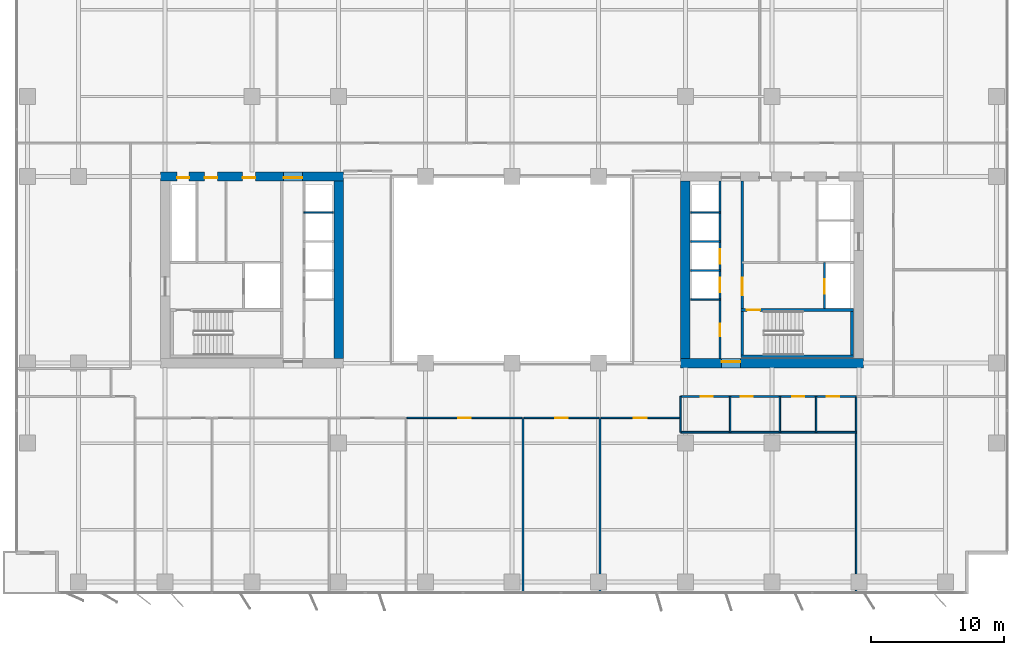
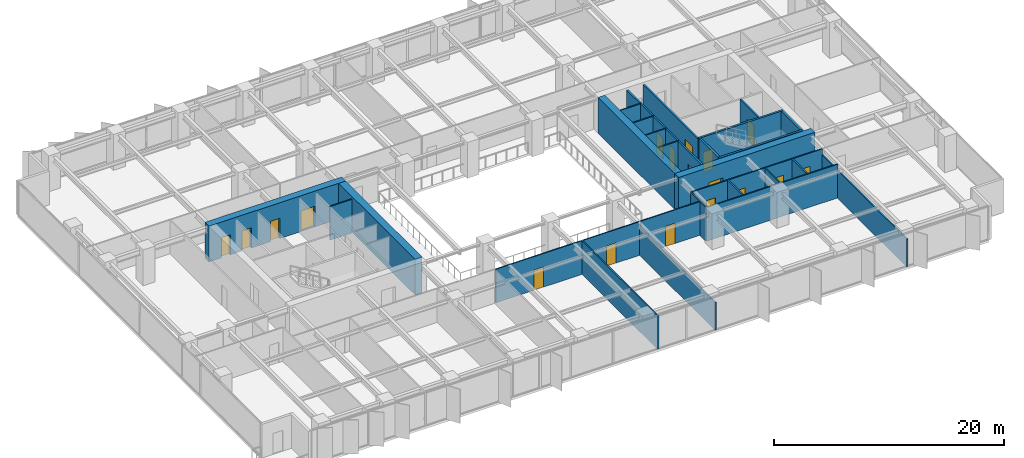
# One storey, part 14 of 20: 28 walls, 18 doors, 18 openings.
"""IFC4 building model written with IfcOpenShell, lengths in metres."""

from ifc_helpers import new_model, si_unit, direction, frame, frame_2d, origin, place, context, subcontext, project, spatial, rectangle, extrude, material, layer, layer_set, type_object, element, fill, save


model = new_model("IFC4")

# Units and contexts
model_context = context("Model", 3, precision=1e-05, world=origin(), true_north=direction((0.0, 1.0)))
body_context = subcontext(model_context, "Body", "Model", "MODEL_VIEW")
ifc_project = project(units=[si_unit("LENGTHUNIT", "METRE"), si_unit("AREAUNIT", "SQUARE_METRE"), si_unit("VOLUMEUNIT", "CUBIC_METRE"), si_unit("PLANEANGLEUNIT", "RADIAN"), si_unit("MASSUNIT", "GRAM", prefix="KILO")], contexts=[model_context])

# Site, building, storey
site_placement = place(None, origin())
site = spatial("IfcSite", under=ifc_project, at=site_placement, CompositionType="ELEMENT")
building_placement = place(site_placement, origin())
building = spatial("IfcBuilding", under=site, at=building_placement, Name="Putna Gate Headquarters", CompositionType="ELEMENT")
storey_placement = place(building_placement, frame((0.0, 0.0, 93.60009765625)))
storey = spatial("IfcBuildingStorey", under=building, at=storey_placement, Name="L22", CompositionType="ELEMENT", Elevation=93.60009765625)

# Wall, openings, doors
ifc_material_1 = material(Name="Concrete C60/75", Category="concrete")
ifc_layer_1 = layer(ifc_material_1, 0.699951171875)
ifc_layer_set_1 = layer_set([ifc_layer_1], Name="Concrete C60/75")
wall_type_1 = type_object("IfcWallType", Name="WALL-CORE-700", PredefinedType="SHEAR", material=ifc_layer_set_1)
wall_1_placement = place(storey_placement, frame((12.64990234375, 33.0, 0.0), z_axis=(0.0, 0.0, 1.0), x_axis=(1.0, 0.0, 0.0)))
wall_1 = element("IfcWall", 1, at=wall_1_placement, inside=storey, type_object=wall_type_1, Name="L22 WC Split Core Shear Wall N", PredefinedType="SHEAR", context=body_context, shape_type="SweptSolid", body=[
    extrude(rectangle(XDim=13.7001953125, YDim=0.699951171875, at=frame_2d((6.85009765625, 0.0))), origin(), (0.0, 0.0, 1.0), 3.7998046875),
])
opening_1_placement = place(wall_1_placement, frame((1.25, 0.0, 0.0)))
opening_1 = element("IfcOpeningElement", 2, at=opening_1_placement, cuts=wall_1, Name="Opening RD-90", PredefinedType="OPENING", context=body_context, shape_type="SweptSolid", body=[
    extrude(rectangle(XDim=0.89990234375, YDim=2.14990234375, at=frame_2d((0.449951171875, 1.074951171875))), frame((0.0, 0.35986328125, 0.0), z_axis=(0.0, -1.0, 0.0), x_axis=(1.0, 0.0, 0.0)), (0.0, 0.0, 1.0), 0.719970703125),
])
opening_2_placement = place(wall_1_placement, frame((3.300048828125, 0.0, 0.0)))
opening_2 = element("IfcOpeningElement", 3, at=opening_2_placement, cuts=wall_1, Name="Opening IDS-95", PredefinedType="OPENING", context=body_context, shape_type="SweptSolid", body=[
    extrude(rectangle(XDim=0.949951171875, YDim=2.14990234375, at=frame_2d((0.47509765625, 1.074951171875))), frame((0.0, 0.35986328125, 0.0), z_axis=(0.0, -1.0, 0.0), x_axis=(1.0, 0.0, 0.0)), (0.0, 0.0, 1.0), 0.719970703125),
])
opening_3_placement = place(wall_1_placement, frame((6.14990234375, 0.0, 0.0)))
opening_3 = element("IfcOpeningElement", 4, at=opening_3_placement, cuts=wall_1, Name="Opening IDS-95", PredefinedType="OPENING", context=body_context, shape_type="SweptSolid", body=[
    extrude(rectangle(XDim=0.949951171875, YDim=2.14990234375, at=frame_2d((0.47509765625, 1.074951171875))), frame((0.0, 0.35986328125, 0.0), z_axis=(0.0, -1.0, 0.0), x_axis=(1.0, 0.0, 0.0)), (0.0, 0.0, 1.0), 0.719970703125),
])
opening_4_placement = place(wall_1_placement, frame((9.22998046875, 0.0, 0.0)))
opening_4 = element("IfcOpeningElement", 5, at=opening_4_placement, cuts=wall_1, Name="Opening FDD-140", PredefinedType="OPENING", context=body_context, shape_type="SweptSolid", body=[
    extrude(rectangle(XDim=1.39990234375, YDim=2.199951171875, at=frame_2d((0.699951171875, 1.10009765625))), frame((0.0, 0.35986328125, 0.0), z_axis=(0.0, -1.0, 0.0), x_axis=(1.0, 0.0, 0.0)), (0.0, 0.0, 1.0), 0.719970703125),
])
ifc_material_2 = material(Name="Double steel fire door", Category="steel")
door_type_1 = type_object("IfcDoorType", Name="DOOR-FIRE-DBL-1400", OperationType="DOUBLE_DOOR_SINGLE_SWING", PredefinedType="DOOR", material=ifc_material_2)
door_1_placement = place(opening_4_placement, origin())
door_1 = element("IfcDoor", 6, at=door_1_placement, inside=storey, type_object=door_type_1, Name="L22 West Lift Lobby North Door", OperationType="DOUBLE_DOOR_SINGLE_SWING", OverallHeight=2.199951171875, OverallWidth=1.39990234375, PredefinedType="DOOR", context=body_context, shape_type="SweptSolid", body=[
    extrude(rectangle(XDim=1.39990234375, YDim=2.199951171875, at=frame_2d((0.699951171875, 1.10009765625))), frame((0.0, -0.0751953125, 0.0), z_axis=(0.0, -1.0, 0.0), x_axis=(1.0, 0.0, 0.0)), (0.0, 0.0, 1.0), 0.050048828125),
])
fill(opening_4, door_1)
ifc_material_3 = material(Name="Fire-rated service timber door", Category="wood")
door_type_2 = type_object("IfcDoorType", Name="DOOR-INT-950", OperationType="NOTDEFINED", PredefinedType="DOOR", material=ifc_material_3)
door_2_placement = place(opening_2_placement, origin())
door_2 = element("IfcDoor", 7, at=door_2_placement, inside=storey, type_object=door_type_2, Name="L22 Archive Store Door", OperationType="SINGLE_SWING_LEFT", OverallHeight=2.14990234375, OverallWidth=0.949951171875, PredefinedType="DOOR", context=body_context, shape_type="SweptSolid", body=[
    extrude(rectangle(XDim=0.949951171875, YDim=2.14990234375, at=frame_2d((0.47509765625, 1.074951171875))), frame((0.0, -0.0751953125, 0.0), z_axis=(0.0, -1.0, 0.0), x_axis=(1.0, 0.0, 0.0)), (0.0, 0.0, 1.0), 0.050048828125),
])
fill(opening_2, door_2)
door_3_placement = place(opening_3_placement, origin())
door_3 = element("IfcDoor", 8, at=door_3_placement, inside=storey, type_object=door_type_2, Name="L22 Switchgear Plant Door", OperationType="SINGLE_SWING_RIGHT", OverallHeight=2.14990234375, OverallWidth=0.949951171875, PredefinedType="DOOR", context=body_context, shape_type="SweptSolid", body=[
    extrude(rectangle(XDim=0.949951171875, YDim=2.14990234375, at=frame_2d((0.47509765625, 1.074951171875))), frame((0.0, -0.0751953125, 0.0), z_axis=(0.0, -1.0, 0.0), x_axis=(1.0, 0.0, 0.0)), (0.0, 0.0, 1.0), 0.050048828125),
])
fill(opening_3, door_3)
ifc_material_4 = material(Name="Steel riser access fire door", Category="steel")
door_type_3 = type_object("IfcDoorType", Name="DOOR-RISER-900", OperationType="NOTDEFINED", PredefinedType="DOOR", material=ifc_material_4)
door_4_placement = place(opening_1_placement, origin())
door_4 = element("IfcDoor", 9, at=door_4_placement, inside=storey, type_object=door_type_3, Name="L22 West Riser Access Door", OperationType="SINGLE_SWING_RIGHT", OverallHeight=2.14990234375, OverallWidth=0.89990234375, PredefinedType="DOOR", context=body_context, shape_type="SweptSolid", body=[
    extrude(rectangle(XDim=0.89990234375, YDim=2.14990234375, at=frame_2d((0.449951171875, 1.074951171875))), frame((0.0, -0.0751953125, 0.0), z_axis=(0.0, -1.0, 0.0), x_axis=(1.0, 0.0, 0.0)), (0.0, 0.0, 1.0), 0.050048828125),
])
fill(opening_1, door_4)

# Wall
wall_2_placement = place(storey_placement, frame((26.0, 19.35009765625, 0.0), z_axis=(0.0, 0.0, 1.0), x_axis=(0.0, 1.0, 0.0)))
element("IfcWall", 10, at=wall_2_placement, inside=storey, type_object=wall_type_1, Name="L22 WC Split Core Shear Wall E", PredefinedType="SHEAR", context=body_context, shape_type="SweptSolid", body=[
    extrude(rectangle(XDim=13.2998046875, YDim=0.699951171875, at=frame_2d((6.64990234375, 0.0))), origin(), (0.0, 0.0, 1.0), 3.7998046875),
])

# Wall, opening, door
wall_3_placement = place(storey_placement, frame((51.64990234375, 19.0, 0.0), z_axis=(0.0, 0.0, 1.0), x_axis=(1.0, 0.0, 0.0)))
wall_3 = element("IfcWall", 11, at=wall_3_placement, inside=storey, type_object=wall_type_1, Name="L22 EC Split Core Shear Wall S", PredefinedType="SHEAR", context=body_context, shape_type="SweptSolid", body=[
    extrude(rectangle(XDim=13.7001953125, YDim=0.699951171875, at=frame_2d((6.85009765625, 0.0))), origin(), (0.0, 0.0, 1.0), 3.7998046875),
])
opening_5_placement = place(wall_3_placement, frame((3.070068359375, 0.0, 0.0)))
opening_5 = element("IfcOpeningElement", 12, at=opening_5_placement, cuts=wall_3, Name="Opening FDD-140", PredefinedType="OPENING", context=body_context, shape_type="SweptSolid", body=[
    extrude(rectangle(XDim=1.39990234375, YDim=2.199951171875, at=frame_2d((0.699951171875, 1.10009765625))), frame((0.0, 0.35986328125, 0.0), z_axis=(0.0, -1.0, 0.0), x_axis=(1.0, 0.0, 0.0)), (0.0, 0.0, 1.0), 0.719970703125),
])
door_5_placement = place(opening_5_placement, origin())
door_5 = element("IfcDoor", 13, at=door_5_placement, inside=storey, type_object=door_type_1, Name="L22 East Lift Lobby South Door", OperationType="DOUBLE_DOOR_SINGLE_SWING", OverallHeight=2.199951171875, OverallWidth=1.39990234375, PredefinedType="DOOR", context=body_context, shape_type="SweptSolid", body=[
    extrude(rectangle(XDim=1.39990234375, YDim=2.199951171875, at=frame_2d((0.699951171875, 1.10009765625))), frame((0.0, 0.125, 0.0), z_axis=(0.0, -1.0, 0.0), x_axis=(1.0, 0.0, 0.0)), (0.0, 0.0, 1.0), 0.050048828125),
])
fill(opening_5, door_5)

# Walls
wall_4_placement = place(storey_placement, frame((52.0, 19.35009765625, 0.0), z_axis=(0.0, 0.0, 1.0), x_axis=(0.0, 1.0, 0.0)))
element("IfcWall", 14, at=wall_4_placement, inside=storey, type_object=wall_type_1, Name="L22 EC Split Core Shear Wall W", PredefinedType="SHEAR", context=body_context, shape_type="SweptSolid", body=[
    extrude(rectangle(XDim=13.2998046875, YDim=0.699951171875, at=frame_2d((6.64990234375, 0.0))), origin(), (0.0, 0.0, 1.0), 3.7998046875),
])
ifc_material_5 = material(Name="Acoustic gypsum board on metal stud")
ifc_layer_2 = layer(ifc_material_5, 0.1201171875)
ifc_layer_set_2 = layer_set([ifc_layer_2], Name="Acoustic gypsum board on metal stud")
wall_type_2 = type_object("IfcWallType", Name="WALL-PART-120", PredefinedType="PARTITIONING", material=ifc_layer_set_2)
wall_5_placement = place(storey_placement, frame((39.826904296875, 1.719970703125, 0.0), z_axis=(0.0, 0.0, 1.0), x_axis=(0.0, 1.0, 0.0)))
element("IfcWall", 15, at=wall_5_placement, inside=storey, type_object=wall_type_2, Name="L22 Interior Wall PART-L22-SB-DIV-05", PredefinedType="PARTITIONING", context=body_context, shape_type="SweptSolid", body=[
    extrude(rectangle(XDim=13.1201171875, YDim=0.1201171875, at=frame_2d((6.56005859375, 0.0))), origin(), (0.0, 0.0, 1.0), 3.56494140625),
])
wall_6_placement = place(storey_placement, frame((45.60009765625, 1.719970703125, 0.0), z_axis=(0.0, 0.0, 1.0), x_axis=(0.0, 1.0, 0.0)))
element("IfcWall", 16, at=wall_6_placement, inside=storey, type_object=wall_type_2, Name="L22 Interior Wall PART-L22-SB-DIV-06", PredefinedType="PARTITIONING", context=body_context, shape_type="SweptSolid", body=[
    extrude(rectangle(XDim=13.1201171875, YDim=0.1201171875, at=frame_2d((6.56005859375, 0.0))), origin(), (0.0, 0.0, 1.0), 2.96484375),
])
wall_7_placement = place(storey_placement, frame((64.800048828125, 1.719970703125, 0.0), z_axis=(0.0, 0.0, 1.0), x_axis=(0.0, 1.0, 0.0)))
element("IfcWall", 17, at=wall_7_placement, inside=storey, type_object=wall_type_2, Name="L22 Interior Wall PART-L22-SB-DIV-07", PredefinedType="PARTITIONING", context=body_context, shape_type="SweptSolid", body=[
    extrude(rectangle(XDim=14.719970703125, YDim=0.1201171875, at=frame_2d((7.35986328125, 0.0))), origin(), (0.0, 0.0, 1.0), 2.96484375),
])
ifc_material_6 = material(Name="Fire-rated shaftwall gypsum board on metal stud")
ifc_layer_3 = layer(ifc_material_6, 0.1201171875)
ifc_layer_set_3 = layer_set([ifc_layer_3], Name="Fire-rated shaftwall gypsum board on metal stud")
wall_type_3 = type_object("IfcWallType", Name="WALL-PART-120-EI120", PredefinedType="PARTITIONING", material=ifc_layer_set_3)
for number, where, z_axis, x_axis, name in (
    (18, (23.39990234375, 30.31005859375, 0.0), (0.0, 0.0, 1.0), (1.0, 0.0, 0.0), "L22 Interior Wall CWINT-L22-WC-LF09-DIV"),
    (19, (52.39990234375, 25.949951171875, 0.0), (0.0, 0.0, 1.0), (1.0, 0.0, 0.0), "L22 Interior Wall CWINT-L22-EC-LF07-DIV"),
    (20, (52.39990234375, 28.1201171875, 0.0), (0.0, 0.0, 1.0), (1.0, 0.0, 0.0), "L22 Interior Wall CWINT-L22-EC-LF08-DIV"),
    (21, (52.39990234375, 30.31005859375, 0.0), (0.0, 0.0, 1.0), (1.0, 0.0, 0.0), "L22 Interior Wall CWINT-L22-EC-LF11-DIV"),
):
    element("IfcWall", number, at=place(storey_placement, frame(where, z_axis=z_axis, x_axis=x_axis)), inside=storey, type_object=wall_type_3, Name=name, PredefinedType="PARTITIONING", context=body_context, shape_type="SweptSolid", body=[
        extrude(rectangle(XDim=2.2001953125, YDim=0.1201171875, at=frame_2d((1.10009765625, 0.0))), origin(), (0.0, 0.0, 1.0), 3.56494140625),
    ])
ifc_material_7 = material(Name="Fire-rated gypsum board on metal stud")
ifc_layer_4 = layer(ifc_material_7, 0.1201171875)
ifc_layer_set_4 = layer_set([ifc_layer_4], Name="Fire-rated gypsum board on metal stud")
wall_type_4 = type_object("IfcWallType", Name="WALL-PART-120-RATED", PredefinedType="PARTITIONING", material=ifc_layer_set_4)
wall_8_placement = place(storey_placement, frame((52.39990234375, 23.780029296875, 0.0), z_axis=(0.0, 0.0, 1.0), x_axis=(1.0, 0.0, 0.0)))
element("IfcWall", 22, at=wall_8_placement, inside=storey, type_object=wall_type_4, Name="L22 Interior Wall CWINT-L22-EC-LF04-DIV", PredefinedType="PARTITIONING", context=body_context, shape_type="SweptSolid", body=[
    extrude(rectangle(XDim=2.2001953125, YDim=0.1201171875, at=frame_2d((1.10009765625, 0.0))), origin(), (0.0, 0.0, 1.0), 3.56494140625),
])

# Wall, openings, doors
wall_9_placement = place(storey_placement, frame((51.639892578125, 16.5, 0.0), z_axis=(0.0, 0.0, 1.0), x_axis=(1.0, 0.0, 0.0)))
wall_9 = element("IfcWall", 23, at=wall_9_placement, inside=storey, type_object=wall_type_4, Name="L22 Interior Wall PART-L22-SAN-CW", PredefinedType="PARTITIONING", context=body_context, shape_type="SweptSolid", body=[
    extrude(rectangle(XDim=13.16015625, YDim=0.1201171875, at=frame_2d((6.580078125, 0.0))), origin(), (0.0, 0.0, 1.0), 3.56494140625),
])
opening_6_placement = place(wall_9_placement, frame((1.510009765625, 0.0, 0.0)))
opening_6 = element("IfcOpeningElement", 24, at=opening_6_placement, cuts=wall_9, Name="Opening FD-90", PredefinedType="OPENING", context=body_context, shape_type="SweptSolid", body=[
    extrude(rectangle(XDim=0.89990234375, YDim=2.14990234375, at=frame_2d((0.449951171875, 1.074951171875))), frame((0.0, 0.070068359375, 0.0), z_axis=(0.0, -1.0, 0.0), x_axis=(1.0, 0.0, 0.0)), (0.0, 0.0, 1.0), 0.14013671875),
])
opening_7_placement = place(wall_9_placement, frame((4.510009765625, 0.0, 0.0)))
opening_7 = element("IfcOpeningElement", 25, at=opening_7_placement, cuts=wall_9, Name="Opening FD-90", PredefinedType="OPENING", context=body_context, shape_type="SweptSolid", body=[
    extrude(rectangle(XDim=0.89990234375, YDim=2.14990234375, at=frame_2d((0.449951171875, 1.074951171875))), frame((0.0, 0.070068359375, 0.0), z_axis=(0.0, -1.0, 0.0), x_axis=(1.0, 0.0, 0.0)), (0.0, 0.0, 1.0), 0.14013671875),
])
opening_8_placement = place(wall_9_placement, frame((8.360107421875, 0.0, 0.0)))
opening_8 = element("IfcOpeningElement", 26, at=opening_8_placement, cuts=wall_9, Name="Opening FD-90", PredefinedType="OPENING", context=body_context, shape_type="SweptSolid", body=[
    extrude(rectangle(XDim=0.89990234375, YDim=2.14990234375, at=frame_2d((0.449951171875, 1.074951171875))), frame((0.0, 0.070068359375, 0.0), z_axis=(0.0, -1.0, 0.0), x_axis=(1.0, 0.0, 0.0)), (0.0, 0.0, 1.0), 0.14013671875),
])
opening_9_placement = place(wall_9_placement, frame((10.9599609375, 0.0, 0.0)))
opening_9 = element("IfcOpeningElement", 27, at=opening_9_placement, cuts=wall_9, Name="Opening FD-95", PredefinedType="OPENING", context=body_context, shape_type="SweptSolid", body=[
    extrude(rectangle(XDim=0.949951171875, YDim=2.14990234375, at=frame_2d((0.47509765625, 1.074951171875))), frame((0.0, 0.070068359375, 0.0), z_axis=(0.0, -1.0, 0.0), x_axis=(1.0, 0.0, 0.0)), (0.0, 0.0, 1.0), 0.14013671875),
])
ifc_material_8 = material(Name="Acoustic washroom fire door")
door_type_4 = type_object("IfcDoorType", Name="DOOR-FIRE-900", OperationType="NOTDEFINED", PredefinedType="DOOR", material=ifc_material_8)
door_6_placement = place(opening_6_placement, origin())
door_6 = element("IfcDoor", 28, at=door_6_placement, inside=storey, type_object=door_type_4, Name="L22 Washroom Male Door", OperationType="SINGLE_SWING_LEFT", OverallHeight=2.14990234375, OverallWidth=0.89990234375, PredefinedType="DOOR", context=body_context, shape_type="SweptSolid", body=[
    extrude(rectangle(XDim=0.89990234375, YDim=2.14990234375, at=frame_2d((0.449951171875, 1.074951171875))), frame((0.0, 0.02490234375, 0.0), z_axis=(0.0, -1.0, 0.0), x_axis=(1.0, 0.0, 0.0)), (0.0, 0.0, 1.0), 0.050048828125),
])
fill(opening_6, door_6)
door_7_placement = place(opening_7_placement, origin())
door_7 = element("IfcDoor", 29, at=door_7_placement, inside=storey, type_object=door_type_4, Name="L22 Washroom Female Door", OperationType="SINGLE_SWING_RIGHT", OverallHeight=2.14990234375, OverallWidth=0.89990234375, PredefinedType="DOOR", context=body_context, shape_type="SweptSolid", body=[
    extrude(rectangle(XDim=0.89990234375, YDim=2.14990234375, at=frame_2d((0.449951171875, 1.074951171875))), frame((0.0, 0.02490234375, 0.0), z_axis=(0.0, -1.0, 0.0), x_axis=(1.0, 0.0, 0.0)), (0.0, 0.0, 1.0), 0.050048828125),
])
fill(opening_7, door_7)
door_8_placement = place(opening_8_placement, origin())
door_8 = element("IfcDoor", 30, at=door_8_placement, inside=storey, type_object=door_type_4, Name="L22 Accessible WC Door", OperationType="SINGLE_SWING_LEFT", OverallHeight=2.14990234375, OverallWidth=0.89990234375, PredefinedType="DOOR", context=body_context, shape_type="SweptSolid", body=[
    extrude(rectangle(XDim=0.89990234375, YDim=2.14990234375, at=frame_2d((0.449951171875, 1.074951171875))), frame((0.0, 0.02490234375, 0.0), z_axis=(0.0, -1.0, 0.0), x_axis=(1.0, 0.0, 0.0)), (0.0, 0.0, 1.0), 0.050048828125),
])
fill(opening_8, door_8)
ifc_material_9 = material(Name="Acoustic timber fire door", Category="wood")
door_type_5 = type_object("IfcDoorType", Name="DOOR-FIRE-950", OperationType="NOTDEFINED", PredefinedType="DOOR", material=ifc_material_9)
door_9_placement = place(opening_9_placement, origin())
door_9 = element("IfcDoor", 31, at=door_9_placement, inside=storey, type_object=door_type_5, Name="L22 Staff Pantry and Tea Point Door", OperationType="SINGLE_SWING_RIGHT", OverallHeight=2.14990234375, OverallWidth=0.949951171875, PredefinedType="DOOR", context=body_context, shape_type="SweptSolid", body=[
    extrude(rectangle(XDim=0.949951171875, YDim=2.14990234375, at=frame_2d((0.47509765625, 1.074951171875))), frame((0.0, 0.02490234375, 0.0), z_axis=(0.0, -1.0, 0.0), x_axis=(1.0, 0.0, 0.0)), (0.0, 0.0, 1.0), 0.050048828125),
])
fill(opening_9, door_9)

# Walls
wall_10_placement = place(storey_placement, frame((51.639892578125, 13.820068359375, 0.0), z_axis=(0.0, 0.0, 1.0), x_axis=(1.0, 0.0, 0.0)))
element("IfcWall", 32, at=wall_10_placement, inside=storey, type_object=wall_type_4, Name="L22 Interior Wall PART-L22-SAN-BACK", PredefinedType="PARTITIONING", context=body_context, shape_type="SweptSolid", body=[
    extrude(rectangle(XDim=13.16015625, YDim=0.1201171875, at=frame_2d((6.580078125, 0.0))), origin(), (0.0, 0.0, 1.0), 3.56494140625),
])
for number, where, z_axis, x_axis, name in (
    (33, (51.639892578125, 13.820068359375, 0.0), (0.0, 0.0, 1.0), (0.0, 1.0, 0.0), "L22 Interior Wall PART-L22-SAN-DIV-1"),
    (34, (55.360107421875, 13.820068359375, 0.0), (0.0, 0.0, 1.0), (0.0, 1.0, 0.0), "L22 Interior Wall PART-L22-SAN-DIV-2"),
    (35, (59.080078125, 13.820068359375, 0.0), (0.0, 0.0, 1.0), (0.0, 1.0, 0.0), "L22 Interior Wall PART-L22-SAN-DIV-3"),
    (36, (61.800048828125, 13.820068359375, 0.0), (0.0, 0.0, 1.0), (0.0, 1.0, 0.0), "L22 Interior Wall PART-L22-SAN-DIV-4"),
):
    element("IfcWall", number, at=place(storey_placement, frame(where, z_axis=z_axis, x_axis=x_axis)), inside=storey, type_object=wall_type_4, Name=name, PredefinedType="PARTITIONING", context=body_context, shape_type="SweptSolid", body=[
        extrude(rectangle(XDim=2.679931640625, YDim=0.1201171875, at=frame_2d((1.33984375, 0.0))), origin(), (0.0, 0.0, 1.0), 3.56494140625),
    ])

# Wall, opening, door
wall_11_placement = place(storey_placement, frame((31.1201171875, 14.89990234375, 0.0), z_axis=(0.0, 0.0, 1.0), x_axis=(1.0, 0.0, 0.0)))
wall_11 = element("IfcWall", 37, at=wall_11_placement, inside=storey, type_object=wall_type_4, Name="L22 Interior Wall PART-L22-SB-CW-05", PredefinedType="PARTITIONING", context=body_context, shape_type="SweptSolid", body=[
    extrude(rectangle(XDim=8.646728515625, YDim=0.1201171875, at=frame_2d((4.3232421875, 0.0))), origin(), (0.0, 0.0, 1.0), 3.56494140625),
])
opening_10_placement = place(wall_11_placement, frame((3.848388671875, 0.0, 0.0)))
opening_10 = element("IfcOpeningElement", 38, at=opening_10_placement, cuts=wall_11, Name="Opening FD-95", PredefinedType="OPENING", context=body_context, shape_type="SweptSolid", body=[
    extrude(rectangle(XDim=0.949951171875, YDim=2.14990234375, at=frame_2d((0.47509765625, 1.074951171875))), frame((0.0, 0.070068359375, 0.0), z_axis=(0.0, -1.0, 0.0), x_axis=(1.0, 0.0, 0.0)), (0.0, 0.0, 1.0), 0.14013671875),
])
door_10_placement = place(opening_10_placement, origin())
door_10 = element("IfcDoor", 39, at=door_10_placement, inside=storey, type_object=door_type_5, Name="L22 Collaborative Breakout Lounge 1 Door", OperationType="SINGLE_SWING_LEFT", OverallHeight=2.14990234375, OverallWidth=0.949951171875, PredefinedType="DOOR", context=body_context, shape_type="SweptSolid", body=[
    extrude(rectangle(XDim=0.949951171875, YDim=2.14990234375, at=frame_2d((0.47509765625, 1.074951171875))), frame((0.0, 0.02490234375, 0.0), z_axis=(0.0, -1.0, 0.0), x_axis=(1.0, 0.0, 0.0)), (0.0, 0.0, 1.0), 0.050048828125),
])
fill(opening_10, door_10)

wall_12_placement = place(storey_placement, frame((39.88671875, 14.89990234375, 0.0), z_axis=(0.0, 0.0, 1.0), x_axis=(1.0, 0.0, 0.0)))
wall_12 = element("IfcWall", 40, at=wall_12_placement, inside=storey, type_object=wall_type_4, Name="L22 Interior Wall PART-L22-SB-CW-06", PredefinedType="PARTITIONING", context=body_context, shape_type="SweptSolid", body=[
    extrude(rectangle(XDim=5.6533203125, YDim=0.1201171875, at=frame_2d((2.82666015625, 0.0))), origin(), (0.0, 0.0, 1.0), 3.56494140625),
])
opening_11_placement = place(wall_12_placement, frame((2.3515625, 0.0, 0.0)))
opening_11 = element("IfcOpeningElement", 41, at=opening_11_placement, cuts=wall_12, Name="Opening FD-95", PredefinedType="OPENING", context=body_context, shape_type="SweptSolid", body=[
    extrude(rectangle(XDim=0.949951171875, YDim=2.14990234375, at=frame_2d((0.47509765625, 1.074951171875))), frame((0.0, 0.070068359375, 0.0), z_axis=(0.0, -1.0, 0.0), x_axis=(1.0, 0.0, 0.0)), (0.0, 0.0, 1.0), 0.14013671875),
])
door_11_placement = place(opening_11_placement, origin())
door_11 = element("IfcDoor", 42, at=door_11_placement, inside=storey, type_object=door_type_5, Name="L22 Collaborative Breakout Lounge 2 Door", OperationType="SINGLE_SWING_RIGHT", OverallHeight=2.14990234375, OverallWidth=0.949951171875, PredefinedType="DOOR", context=body_context, shape_type="SweptSolid", body=[
    extrude(rectangle(XDim=0.949951171875, YDim=2.14990234375, at=frame_2d((0.47509765625, 1.074951171875))), frame((0.0, 0.02490234375, 0.0), z_axis=(0.0, -1.0, 0.0), x_axis=(1.0, 0.0, 0.0)), (0.0, 0.0, 1.0), 0.050048828125),
])
fill(opening_11, door_11)

wall_13_placement = place(storey_placement, frame((45.659912109375, 14.89990234375, 0.0), z_axis=(0.0, 0.0, 1.0), x_axis=(1.0, 0.0, 0.0)))
wall_13 = element("IfcWall", 43, at=wall_13_placement, inside=storey, type_object=wall_type_4, Name="L22 Interior Wall PART-L22-SB-CW-07", PredefinedType="PARTITIONING", context=body_context, shape_type="SweptSolid", body=[
    extrude(rectangle(XDim=5.920166015625, YDim=0.1201171875, at=frame_2d((2.9599609375, 0.0))), origin(), (0.0, 0.0, 1.0), 3.56494140625),
])
opening_12_placement = place(wall_13_placement, frame((2.485107421875, 0.0, 0.0)))
opening_12 = element("IfcOpeningElement", 44, at=opening_12_placement, cuts=wall_13, Name="Opening FD-95", PredefinedType="OPENING", context=body_context, shape_type="SweptSolid", body=[
    extrude(rectangle(XDim=0.949951171875, YDim=2.14990234375, at=frame_2d((0.47509765625, 1.074951171875))), frame((0.0, 0.070068359375, 0.0), z_axis=(0.0, -1.0, 0.0), x_axis=(1.0, 0.0, 0.0)), (0.0, 0.0, 1.0), 0.14013671875),
])
door_12_placement = place(opening_12_placement, origin())
door_12 = element("IfcDoor", 45, at=door_12_placement, inside=storey, type_object=door_type_5, Name="L22 Primary Open Office Workplace Door", OperationType="SINGLE_SWING_LEFT", OverallHeight=2.14990234375, OverallWidth=0.949951171875, PredefinedType="DOOR", context=body_context, shape_type="SweptSolid", body=[
    extrude(rectangle(XDim=0.949951171875, YDim=2.14990234375, at=frame_2d((0.47509765625, 1.074951171875))), frame((0.0, 0.02490234375, 0.0), z_axis=(0.0, -1.0, 0.0), x_axis=(1.0, 0.0, 0.0)), (0.0, 0.0, 1.0), 0.050048828125),
])
fill(opening_12, door_12)

# Wall, openings, doors
ifc_material_10 = material(Name="Concrete C40/50", Category="concrete")
ifc_layer_5 = layer(ifc_material_10, 0.159912109375)
ifc_layer_set_5 = layer_set([ifc_layer_5], Name="Concrete C40/50")
wall_type_5 = type_object("IfcWallType", Name="WALL-SHAFT-160", PredefinedType="STANDARD", material=ifc_layer_set_5)
wall_14_placement = place(storey_placement, frame((54.60009765625, 19.35009765625, 0.0), z_axis=(0.0, 0.0, 1.0), x_axis=(0.0, 1.0, 0.0)))
wall_14 = element("IfcWall", 46, at=wall_14_placement, inside=storey, type_object=wall_type_5, Name="L22 Interior Wall CWINT-L22-EC-PL-WALL", PredefinedType="STANDARD", context=body_context, shape_type="SweptSolid", body=[
    extrude(rectangle(XDim=13.2998046875, YDim=0.159912109375, at=frame_2d((6.64990234375, 0.0))), origin(), (0.0, 0.0, 1.0), 3.56494140625),
])
opening_13_placement = place(wall_14_placement, frame((1.64990234375, 0.0, 0.0)))
opening_13 = element("IfcOpeningElement", 47, at=opening_13_placement, cuts=wall_14, Name="Opening IDS-95", PredefinedType="OPENING", context=body_context, shape_type="SweptSolid", body=[
    extrude(rectangle(XDim=0.949951171875, YDim=2.14990234375, at=frame_2d((0.47509765625, 1.074951171875))), frame((0.0, 0.08984375, 0.0), z_axis=(0.0, -1.0, 0.0), x_axis=(1.0, 0.0, 0.0)), (0.0, 0.0, 1.0), 0.179931640625),
])
opening_14_placement = place(wall_14_placement, frame((4.949951171875, 0.0, 0.0)))
opening_14 = element("IfcOpeningElement", 48, at=opening_14_placement, cuts=wall_14, Name="Opening LD-1", PredefinedType="OPENING", context=body_context, shape_type="SweptSolid", body=[
    extrude(rectangle(XDim=1.10009765625, YDim=2.199951171875, at=frame_2d((0.550048828125, 1.10009765625))), frame((0.0, 0.08984375, 0.0), z_axis=(0.0, -1.0, 0.0), x_axis=(1.0, 0.0, 0.0)), (0.0, 0.0, 1.0), 0.179931640625),
])
opening_15_placement = place(wall_14_placement, frame((7.10009765625, 0.0, 0.0)))
opening_15 = element("IfcOpeningElement", 49, at=opening_15_placement, cuts=wall_14, Name="Opening LD-1", PredefinedType="OPENING", context=body_context, shape_type="SweptSolid", body=[
    extrude(rectangle(XDim=1.10009765625, YDim=2.199951171875, at=frame_2d((0.550048828125, 1.10009765625))), frame((0.0, 0.08984375, 0.0), z_axis=(0.0, -1.0, 0.0), x_axis=(1.0, 0.0, 0.0)), (0.0, 0.0, 1.0), 0.179931640625),
])
door_13_placement = place(opening_13_placement, origin())
door_13 = element("IfcDoor", 50, at=door_13_placement, inside=storey, type_object=door_type_2, Name="L22 Stationery Store Door", OperationType="SINGLE_SWING_RIGHT", OverallHeight=2.14990234375, OverallWidth=0.949951171875, PredefinedType="DOOR", context=body_context, shape_type="SweptSolid", body=[
    extrude(rectangle(XDim=0.949951171875, YDim=2.14990234375, at=frame_2d((0.47509765625, 1.074951171875))), frame((0.0, 0.02490234375, 0.0), z_axis=(0.0, -1.0, 0.0), x_axis=(1.0, 0.0, 0.0)), (0.0, 0.0, 1.0), 0.050048828125),
])
fill(opening_13, door_13)
ifc_material_11 = material(Name="Brushed bronze stainless lift landing door")
door_type_6 = type_object("IfcDoorType", Name="DOOR-LIFT-1100", OperationType="DOUBLE_DOOR_SLIDING", PredefinedType="DOOR", material=ifc_material_11)
door_14_placement = place(opening_14_placement, origin())
door_14 = element("IfcDoor", 51, at=door_14_placement, inside=storey, type_object=door_type_6, Name="L22 Lift Landing Door LD-07", OperationType="DOUBLE_DOOR_SLIDING", OverallHeight=2.199951171875, OverallWidth=1.10009765625, PredefinedType="DOOR", context=body_context, shape_type="SweptSolid", body=[
    extrude(rectangle(XDim=1.10009765625, YDim=2.199951171875, at=frame_2d((0.550048828125, 1.10009765625))), frame((0.0, 0.02490234375, 0.0), z_axis=(0.0, -1.0, 0.0), x_axis=(1.0, 0.0, 0.0)), (0.0, 0.0, 1.0), 0.050048828125),
])
fill(opening_14, door_14)
door_15_placement = place(opening_15_placement, origin())
door_15 = element("IfcDoor", 52, at=door_15_placement, inside=storey, type_object=door_type_6, Name="L22 Lift Landing Door LD-08", OperationType="DOUBLE_DOOR_SLIDING", OverallHeight=2.199951171875, OverallWidth=1.10009765625, PredefinedType="DOOR", context=body_context, shape_type="SweptSolid", body=[
    extrude(rectangle(XDim=1.10009765625, YDim=2.199951171875, at=frame_2d((0.550048828125, 1.10009765625))), frame((0.0, 0.02490234375, 0.0), z_axis=(0.0, -1.0, 0.0), x_axis=(1.0, 0.0, 0.0)), (0.0, 0.0, 1.0), 0.050048828125),
])
fill(opening_15, door_15)

# Wall, opening, door
wall_15_placement = place(storey_placement, frame((56.260009765625, 23.090087890625, 0.0), z_axis=(0.0, 0.0, 1.0), x_axis=(0.0, 1.0, 0.0)))
wall_15 = element("IfcWall", 53, at=wall_15_placement, inside=storey, type_object=wall_type_5, Name="L22 Interior Wall CWINT-L22-EC-LOB-E", PredefinedType="STANDARD", context=body_context, shape_type="SweptSolid", body=[
    extrude(rectangle(XDim=9.559814453125, YDim=0.159912109375, at=frame_2d((4.77978515625, 0.0))), origin(), (0.0, 0.0, 1.0), 3.56494140625),
])
opening_16_placement = place(wall_15_placement, frame((1.010009765625, 0.0, 0.0)))
opening_16 = element("IfcOpeningElement", 54, at=opening_16_placement, cuts=wall_15, Name="Opening FDD-130", PredefinedType="OPENING", context=body_context, shape_type="SweptSolid", body=[
    extrude(rectangle(XDim=1.300048828125, YDim=2.199951171875, at=frame_2d((0.64990234375, 1.10009765625))), frame((0.0, 0.08984375, 0.0), z_axis=(0.0, -1.0, 0.0), x_axis=(1.0, 0.0, 0.0)), (0.0, 0.0, 1.0), 0.179931640625),
])
ifc_material_12 = material(Name="Double steel lobby fire door", Category="steel")
door_type_7 = type_object("IfcDoorType", Name="DOOR-FIRE-DBL-1300", OperationType="DOUBLE_DOOR_SINGLE_SWING", PredefinedType="DOOR", material=ifc_material_12)
door_16_placement = place(opening_16_placement, origin())
door_16 = element("IfcDoor", 55, at=door_16_placement, inside=storey, type_object=door_type_7, Name="L22 East Firefighting Lobby Door", OperationType="DOUBLE_DOOR_SINGLE_SWING", OverallHeight=2.199951171875, OverallWidth=1.300048828125, PredefinedType="DOOR", context=body_context, shape_type="SweptSolid", body=[
    extrude(rectangle(XDim=1.300048828125, YDim=2.199951171875, at=frame_2d((0.64990234375, 1.10009765625))), frame((0.0, 0.02490234375, 0.0), z_axis=(0.0, -1.0, 0.0), x_axis=(1.0, 0.0, 0.0)), (0.0, 0.0, 1.0), 0.050048828125),
])
fill(opening_16, door_16)

wall_16_placement = place(storey_placement, frame((62.429931640625, 23.090087890625, 0.0), z_axis=(0.0, 0.0, 1.0), x_axis=(0.0, 1.0, 0.0)))
wall_16 = element("IfcWall", 56, at=wall_16_placement, inside=storey, type_object=wall_type_5, Name="L22 Interior Wall CWINT-L22-EC-LF14-W", PredefinedType="STANDARD", context=body_context, shape_type="SweptSolid", body=[
    extrude(rectangle(XDim=3.469970703125, YDim=0.159912109375, at=frame_2d((1.73486328125, 0.0))), origin(), (0.0, 0.0, 1.0), 3.56494140625),
])
opening_17_placement = place(wall_16_placement, frame((1.10009765625, 0.0, 0.0)))
opening_17 = element("IfcOpeningElement", 57, at=opening_17_placement, cuts=wall_16, Name="Opening LD-1", PredefinedType="OPENING", context=body_context, shape_type="SweptSolid", body=[
    extrude(rectangle(XDim=1.10009765625, YDim=2.199951171875, at=frame_2d((0.550048828125, 1.10009765625))), frame((0.0, 0.08984375, 0.0), z_axis=(0.0, -1.0, 0.0), x_axis=(1.0, 0.0, 0.0)), (0.0, 0.0, 1.0), 0.179931640625),
])
door_17_placement = place(opening_17_placement, origin())
door_17 = element("IfcDoor", 58, at=door_17_placement, inside=storey, type_object=door_type_6, Name="L22 Lift Landing Door LD-14", OperationType="DOUBLE_DOOR_SLIDING", OverallHeight=2.199951171875, OverallWidth=1.10009765625, PredefinedType="DOOR", context=body_context, shape_type="SweptSolid", body=[
    extrude(rectangle(XDim=1.10009765625, YDim=2.199951171875, at=frame_2d((0.550048828125, 1.10009765625))), frame((0.0, 0.02490234375, 0.0), z_axis=(0.0, -1.0, 0.0), x_axis=(1.0, 0.0, 0.0)), (0.0, 0.0, 1.0), 0.050048828125),
])
fill(opening_17, door_17)

# Wall
ifc_layer_6 = layer(ifc_material_10, 0.199951171875)
ifc_layer_set_6 = layer_set([ifc_layer_6], Name="Concrete C40/50")
wall_type_6 = type_object("IfcWallType", Name="WALL-SHAFT-RC200", PredefinedType="SHEAR", material=ifc_layer_set_6)
wall_17_placement = place(storey_placement, frame((56.159912109375, 19.510009765625, 0.0), z_axis=(0.0, 0.0, 1.0), x_axis=(1.0, 0.0, 0.0)))
element("IfcWall", 59, at=wall_17_placement, inside=storey, type_object=wall_type_6, Name="L22 Stair ST2 Structural Shaft Wall S", PredefinedType="SHEAR", context=body_context, shape_type="SweptSolid", body=[
    extrude(rectangle(XDim=8.43017578125, YDim=0.199951171875, at=frame_2d((4.215087890625, 0.0))), origin(), (0.0, 0.0, 1.0), 3.7998046875),
])

# Wall, opening, door
wall_18_placement = place(storey_placement, frame((56.159912109375, 22.989990234375, 0.0), z_axis=(0.0, 0.0, 1.0), x_axis=(1.0, 0.0, 0.0)))
wall_18 = element("IfcWall", 60, at=wall_18_placement, inside=storey, type_object=wall_type_6, Name="L22 Stair ST2 Structural Shaft Wall N", PredefinedType="SHEAR", context=body_context, shape_type="SweptSolid", body=[
    extrude(rectangle(XDim=8.43017578125, YDim=0.199951171875, at=frame_2d((4.215087890625, 0.0))), origin(), (0.0, 0.0, 1.0), 3.7998046875),
])
opening_18_placement = place(wall_18_placement, frame((0.449951171875, 0.0, 0.0)))
opening_18 = element("IfcOpeningElement", 61, at=opening_18_placement, cuts=wall_18, Name="Opening FD-100", PredefinedType="OPENING", context=body_context, shape_type="SweptSolid", body=[
    extrude(rectangle(XDim=1.0, YDim=2.14990234375, at=frame_2d((0.5, 1.074951171875))), frame((0.0, 0.10986328125, 0.0), z_axis=(0.0, -1.0, 0.0), x_axis=(1.0, 0.0, 0.0)), (0.0, 0.0, 1.0), 0.219970703125),
])
ifc_material_13 = material(Name="Powder-coated steel fire door", Category="steel")
door_type_8 = type_object("IfcDoorType", Name="DOOR-FIRE-1000", OperationType="NOTDEFINED", PredefinedType="DOOR", material=ifc_material_13)
door_18_placement = place(opening_18_placement, origin())
door_18 = element("IfcDoor", 62, at=door_18_placement, inside=storey, type_object=door_type_8, Name="L22 Stair ST2 Fire Door", OperationType="SINGLE_SWING_RIGHT", OverallHeight=2.14990234375, OverallWidth=1.0, PredefinedType="DOOR", context=body_context, shape_type="SweptSolid", body=[
    extrude(rectangle(XDim=1.0, YDim=2.14990234375, at=frame_2d((0.5, 1.074951171875))), frame((0.0, 0.02490234375, 0.0), z_axis=(0.0, -1.0, 0.0), x_axis=(1.0, 0.0, 0.0)), (0.0, 0.0, 1.0), 0.050048828125),
])
fill(opening_18, door_18)

# Walls
for number, where, z_axis, x_axis, name in (
    (63, (56.260009765625, 19.610107421875, 0.0), (0.0, 0.0, 1.0), (0.0, 1.0, 0.0), "L22 Stair ST2 Structural Shaft Wall W"),
    (64, (64.489990234375, 19.610107421875, 0.0), (0.0, 0.0, 1.0), (0.0, 1.0, 0.0), "L22 Stair ST2 Structural Shaft Wall E"),
):
    element("IfcWall", number, at=place(storey_placement, frame(where, z_axis=z_axis, x_axis=x_axis)), inside=storey, type_object=wall_type_6, Name=name, PredefinedType="SHEAR", context=body_context, shape_type="SweptSolid", body=[
        extrude(rectangle(XDim=3.27978515625, YDim=0.199951171875, at=frame_2d((1.639892578125, 0.0))), origin(), (0.0, 0.0, 1.0), 3.7998046875),
    ])

save(model, "model.ifc")
